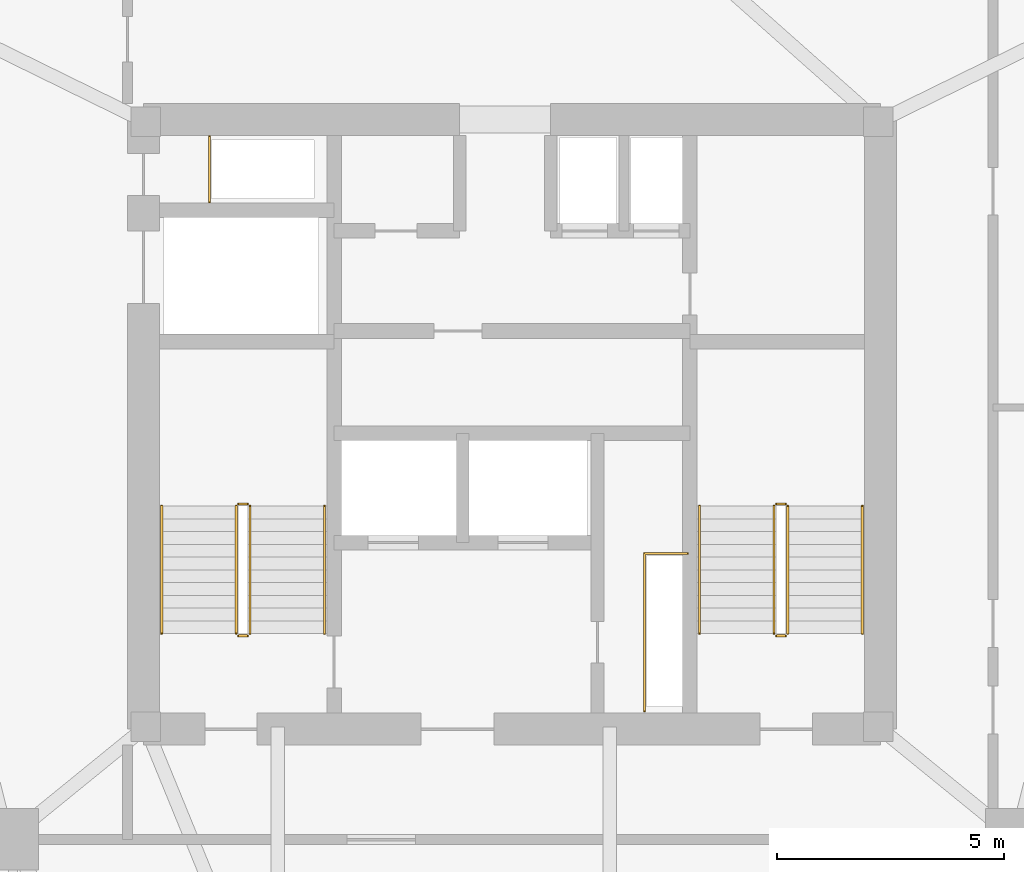
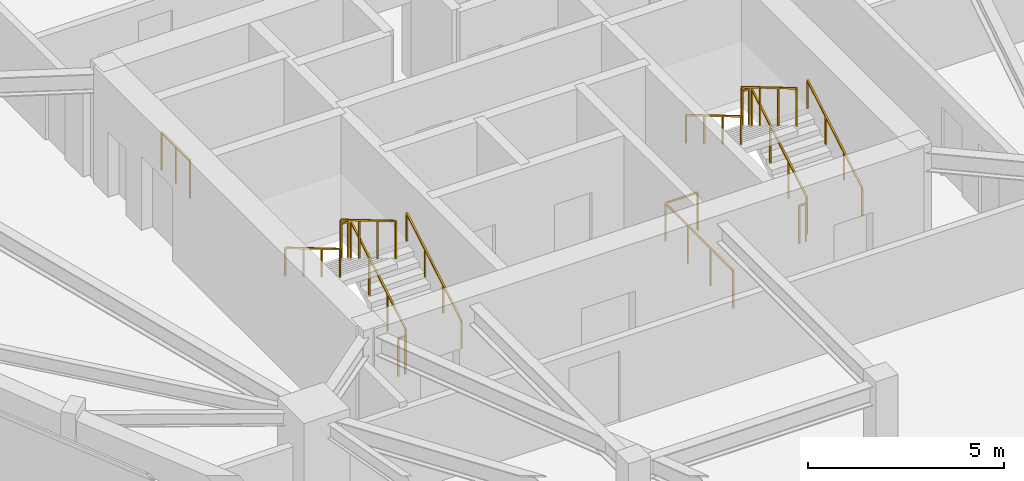
# One storey, part 10 of 10: 14 railings.
"""IFC4 building model written with IfcOpenShell, lengths in metres."""

from ifc_helpers import new_model, si_unit, direction, frame, origin, origin_2d, place, context, subcontext, project, spatial, rectangle, extrude, material, type_object, element, save


model = new_model("IFC4")

# Units and contexts
model_context = context("Model", 3, precision=1e-05, world=origin(), true_north=direction((0.0, 1.0)))
body_context = subcontext(model_context, "Body", "Model", "MODEL_VIEW")
ifc_project = project(units=[si_unit("LENGTHUNIT", "METRE"), si_unit("AREAUNIT", "SQUARE_METRE"), si_unit("VOLUMEUNIT", "CUBIC_METRE"), si_unit("PLANEANGLEUNIT", "RADIAN"), si_unit("MASSUNIT", "GRAM", prefix="KILO")], contexts=[model_context])

# Site, building, storey
site_placement = place(None, origin())
site = spatial("IfcSite", under=ifc_project, at=site_placement, CompositionType="ELEMENT")
building_placement = place(site_placement, origin())
building = spatial("IfcBuilding", under=site, at=building_placement, Name="Talyreon Biosciences Tower", CompositionType="ELEMENT")
storey_placement = place(building_placement, frame((0.0, 0.0, 204.949951171875)))
storey = spatial("IfcBuildingStorey", under=building, at=storey_placement, Name="L54", CompositionType="ELEMENT", Elevation=204.949951171875)

# Railings
ifc_material_1 = material(Name="Brushed stainless-steel tubular handrail", Category="steel")
railing_type_1 = type_object("IfcRailingType", Name="StairWallHandrail_900", PredefinedType="HANDRAIL", material=ifc_material_1)
railing_1_placement = place(storey_placement, frame((61.8798828125, 63.39990234375, 0.166015625)))
element("IfcRailing", 1, at=railing_1_placement, inside=storey, type_object=railing_type_1, Name="L54 ST-1 stair handrail 1", PredefinedType="HANDRAIL", context=body_context, shape_type="SweptSolid", body=[
    extrude(rectangle(XDim=0.048095703125, YDim=0.048095703125, at=origin_2d()), frame((0.0, 0.0, 0.8759765625), z_axis=(0.0, 0.860339051648, 0.50972219513), x_axis=(-1.0, 0.0, 0.0)), (0.0, 0.0, 1.0), 3.254638671875),
    extrude(rectangle(XDim=0.0419921875, YDim=0.0419921875, at=origin_2d()), origin(), (0.0, 0.0, 1.0), 0.851806640625),
    extrude(rectangle(XDim=0.0419921875, YDim=0.0419921875, at=origin_2d()), frame((0.0, 0.933349609375, 0.552978515625)), (0.0, 0.0, 1.0), 0.851806640625),
    extrude(rectangle(XDim=0.0419921875, YDim=0.0419921875, at=origin_2d()), frame((0.0, 1.86669921875, 1.10595703125)), (0.0, 0.0, 1.0), 0.851806640625),
    extrude(rectangle(XDim=0.0419921875, YDim=0.0419921875, at=origin_2d()), frame((0.0, 2.800048828125, 1.658935546875)), (0.0, 0.0, 1.0), 0.851806640625),
])
railing_2_placement = place(storey_placement, frame((58.300048828125, 66.199951171875, 1.990966796875)))
element("IfcRailing", 2, at=railing_2_placement, inside=storey, type_object=railing_type_1, Name="L54 ST-1 stair handrail 2", PredefinedType="HANDRAIL", context=body_context, shape_type="SweptSolid", body=[
    extrude(rectangle(XDim=0.048095703125, YDim=0.048095703125, at=origin_2d()), frame((0.0, 0.0, 0.8759765625), z_axis=(0.0, -0.860306154799, 0.50977771628), x_axis=(1.0, 0.0, 0.0)), (0.0, 0.0, 1.0), 3.254638671875),
    extrude(rectangle(XDim=0.0419921875, YDim=0.0419921875, at=origin_2d()), origin(), (0.0, 0.0, 1.0), 0.851806640625),
    extrude(rectangle(XDim=0.0419921875, YDim=0.0419921875, at=origin_2d()), frame((0.0, -0.933349609375, 0.552978515625)), (0.0, 0.0, 1.0), 0.851806640625),
    extrude(rectangle(XDim=0.0419921875, YDim=0.0419921875, at=origin_2d()), frame((0.0, -1.86669921875, 1.106201171875)), (0.0, 0.0, 1.0), 0.851806640625),
    extrude(rectangle(XDim=0.0419921875, YDim=0.0419921875, at=origin_2d()), frame((0.0, -2.800048828125, 1.6591796875)), (0.0, 0.0, 1.0), 0.851806640625),
])
railing_3_placement = place(storey_placement, frame((73.699951171875, 63.39990234375, 0.166015625)))
element("IfcRailing", 3, at=railing_3_placement, inside=storey, type_object=railing_type_1, Name="L54 ST-2 stair handrail 1", PredefinedType="HANDRAIL", context=body_context, shape_type="SweptSolid", body=[
    extrude(rectangle(XDim=0.048095703125, YDim=0.048095703125, at=origin_2d()), frame((0.0, 0.0, 0.8759765625), z_axis=(0.0, 0.860339051648, 0.50972219513), x_axis=(-1.0, 0.0, 0.0)), (0.0, 0.0, 1.0), 3.254638671875),
    extrude(rectangle(XDim=0.0419921875, YDim=0.0419921875, at=origin_2d()), origin(), (0.0, 0.0, 1.0), 0.851806640625),
    extrude(rectangle(XDim=0.0419921875, YDim=0.0419921875, at=origin_2d()), frame((0.0, 0.933349609375, 0.552978515625)), (0.0, 0.0, 1.0), 0.851806640625),
    extrude(rectangle(XDim=0.0419921875, YDim=0.0419921875, at=origin_2d()), frame((0.0, 1.86669921875, 1.10595703125)), (0.0, 0.0, 1.0), 0.851806640625),
    extrude(rectangle(XDim=0.0419921875, YDim=0.0419921875, at=origin_2d()), frame((0.0, 2.800048828125, 1.658935546875)), (0.0, 0.0, 1.0), 0.851806640625),
])
railing_4_placement = place(storey_placement, frame((70.1201171875, 66.199951171875, 1.990966796875)))
element("IfcRailing", 4, at=railing_4_placement, inside=storey, type_object=railing_type_1, Name="L54 ST-2 stair handrail 2", PredefinedType="HANDRAIL", context=body_context, shape_type="SweptSolid", body=[
    extrude(rectangle(XDim=0.048095703125, YDim=0.048095703125, at=origin_2d()), frame((0.0, 0.0, 0.8759765625), z_axis=(0.0, -0.860306154799, 0.50977771628), x_axis=(1.0, 0.0, 0.0)), (0.0, 0.0, 1.0), 3.254638671875),
    extrude(rectangle(XDim=0.0419921875, YDim=0.0419921875, at=origin_2d()), origin(), (0.0, 0.0, 1.0), 0.851806640625),
    extrude(rectangle(XDim=0.0419921875, YDim=0.0419921875, at=origin_2d()), frame((0.0, -0.933349609375, 0.552978515625)), (0.0, 0.0, 1.0), 0.851806640625),
    extrude(rectangle(XDim=0.0419921875, YDim=0.0419921875, at=origin_2d()), frame((0.0, -1.86669921875, 1.106201171875)), (0.0, 0.0, 1.0), 0.851806640625),
    extrude(rectangle(XDim=0.0419921875, YDim=0.0419921875, at=origin_2d()), frame((0.0, -2.800048828125, 1.6591796875)), (0.0, 0.0, 1.0), 0.851806640625),
])
ifc_material_2 = material(Name="Painted galvanised steel post-and-rail balustrade", Category="steel")
railing_type_2 = type_object("IfcRailingType", Name="TerraceStairGuard_1200", PredefinedType="GUARDRAIL", material=ifc_material_2)
railing_5_placement = place(storey_placement, frame((60.239990234375, 63.39990234375, 0.166015625)))
element("IfcRailing", 5, at=railing_5_placement, inside=storey, type_object=railing_type_2, Name="L54 ST-1 stair guard 1", PredefinedType="GUARDRAIL", context=body_context, shape_type="SweptSolid", body=[
    extrude(rectangle(XDim=0.048095703125, YDim=0.048095703125, at=origin_2d()), frame((0.0, 0.0, 1.17578125), z_axis=(0.0, 0.860339051648, 0.50972219513), x_axis=(-1.0, 0.0, 0.0)), (0.0, 0.0, 1.0), 3.254638671875),
    extrude(rectangle(XDim=0.0419921875, YDim=0.0419921875, at=origin_2d()), origin(), (0.0, 0.0, 1.0), 1.15185546875),
    extrude(rectangle(XDim=0.0419921875, YDim=0.0419921875, at=origin_2d()), frame((0.0, 0.933349609375, 0.552978515625)), (0.0, 0.0, 1.0), 1.15185546875),
    extrude(rectangle(XDim=0.0419921875, YDim=0.0419921875, at=origin_2d()), frame((0.0, 1.86669921875, 1.10595703125)), (0.0, 0.0, 1.0), 1.15185546875),
    extrude(rectangle(XDim=0.0419921875, YDim=0.0419921875, at=origin_2d()), frame((0.0, 2.800048828125, 1.658935546875)), (0.0, 0.0, 1.0), 1.15185546875),
])
railing_6_placement = place(storey_placement, frame((60.18994140625, 66.25, 1.824951171875)))
element("IfcRailing", 6, at=railing_6_placement, inside=storey, type_object=railing_type_2, Name="L54 ST-1 stair guard 2", PredefinedType="GUARDRAIL", context=body_context, shape_type="SweptSolid", body=[
    extrude(rectangle(XDim=0.048095703125, YDim=0.048095703125, at=origin_2d()), frame((0.0, 0.0, 1.17578125), z_axis=(-1.0, 0.0, 0.0), x_axis=(0.0, -1.0, 0.0)), (0.0, 0.0, 1.0), 0.199951171875),
    extrude(rectangle(XDim=0.0419921875, YDim=0.0419921875, at=origin_2d()), origin(), (0.0, 0.0, 1.0), 1.15185546875),
    extrude(rectangle(XDim=0.0419921875, YDim=0.0419921875, at=origin_2d()), frame((-0.199951171875, 0.0, 0.0)), (0.0, 0.0, 1.0), 1.15185546875),
])
railing_7_placement = place(storey_placement, frame((59.93994140625, 66.199951171875, 1.990966796875)))
element("IfcRailing", 7, at=railing_7_placement, inside=storey, type_object=railing_type_2, Name="L54 ST-1 stair guard 3", PredefinedType="GUARDRAIL", context=body_context, shape_type="SweptSolid", body=[
    extrude(rectangle(XDim=0.048095703125, YDim=0.048095703125, at=origin_2d()), frame((0.0, 0.0, 1.17578125), z_axis=(0.0, -0.860306154799, 0.50977771628), x_axis=(1.0, 0.0, 0.0)), (0.0, 0.0, 1.0), 3.254638671875),
    extrude(rectangle(XDim=0.0419921875, YDim=0.0419921875, at=origin_2d()), origin(), (0.0, 0.0, 1.0), 1.15185546875),
    extrude(rectangle(XDim=0.0419921875, YDim=0.0419921875, at=origin_2d()), frame((0.0, -0.933349609375, 0.552978515625)), (0.0, 0.0, 1.0), 1.15185546875),
    extrude(rectangle(XDim=0.0419921875, YDim=0.0419921875, at=origin_2d()), frame((0.0, -1.86669921875, 1.106201171875)), (0.0, 0.0, 1.0), 1.15185546875),
    extrude(rectangle(XDim=0.0419921875, YDim=0.0419921875, at=origin_2d()), frame((0.0, -2.800048828125, 1.6591796875)), (0.0, 0.0, 1.0), 1.15185546875),
])
railing_8_placement = place(storey_placement, frame((60.18994140625, 63.35009765625, 0.0)))
element("IfcRailing", 8, at=railing_8_placement, inside=storey, type_object=railing_type_2, Name="L54 ST-1 stair guard 4", PredefinedType="GUARDRAIL", context=body_context, shape_type="SweptSolid", body=[
    extrude(rectangle(XDim=0.048095703125, YDim=0.048095703125, at=origin_2d()), frame((0.0, 0.0, 1.17578125), z_axis=(-1.0, 0.0, 0.0), x_axis=(0.0, -1.0, 0.0)), (0.0, 0.0, 1.0), 0.199951171875),
    extrude(rectangle(XDim=0.0419921875, YDim=0.0419921875, at=origin_2d()), origin(), (0.0, 0.0, 1.0), 1.15185546875),
    extrude(rectangle(XDim=0.0419921875, YDim=0.0419921875, at=origin_2d()), frame((-0.199951171875, 0.0, 0.0)), (0.0, 0.0, 1.0), 1.15185546875),
])
railing_9_placement = place(storey_placement, frame((72.06005859375, 63.39990234375, 0.166015625)))
element("IfcRailing", 9, at=railing_9_placement, inside=storey, type_object=railing_type_2, Name="L54 ST-2 stair guard 1", PredefinedType="GUARDRAIL", context=body_context, shape_type="SweptSolid", body=[
    extrude(rectangle(XDim=0.048095703125, YDim=0.048095703125, at=origin_2d()), frame((0.0, 0.0, 1.17578125), z_axis=(0.0, 0.860339051648, 0.50972219513), x_axis=(-1.0, 0.0, 0.0)), (0.0, 0.0, 1.0), 3.254638671875),
    extrude(rectangle(XDim=0.0419921875, YDim=0.0419921875, at=origin_2d()), origin(), (0.0, 0.0, 1.0), 1.15185546875),
    extrude(rectangle(XDim=0.0419921875, YDim=0.0419921875, at=origin_2d()), frame((0.0, 0.933349609375, 0.552978515625)), (0.0, 0.0, 1.0), 1.15185546875),
    extrude(rectangle(XDim=0.0419921875, YDim=0.0419921875, at=origin_2d()), frame((0.0, 1.86669921875, 1.10595703125)), (0.0, 0.0, 1.0), 1.15185546875),
    extrude(rectangle(XDim=0.0419921875, YDim=0.0419921875, at=origin_2d()), frame((0.0, 2.800048828125, 1.658935546875)), (0.0, 0.0, 1.0), 1.15185546875),
])
railing_10_placement = place(storey_placement, frame((72.010009765625, 66.25, 1.824951171875)))
element("IfcRailing", 10, at=railing_10_placement, inside=storey, type_object=railing_type_2, Name="L54 ST-2 stair guard 2", PredefinedType="GUARDRAIL", context=body_context, shape_type="SweptSolid", body=[
    extrude(rectangle(XDim=0.048095703125, YDim=0.048095703125, at=origin_2d()), frame((0.0, 0.0, 1.17578125), z_axis=(-1.0, 0.0, 0.0), x_axis=(0.0, -1.0, 0.0)), (0.0, 0.0, 1.0), 0.199951171875),
    extrude(rectangle(XDim=0.0419921875, YDim=0.0419921875, at=origin_2d()), origin(), (0.0, 0.0, 1.0), 1.15185546875),
    extrude(rectangle(XDim=0.0419921875, YDim=0.0419921875, at=origin_2d()), frame((-0.199951171875, 0.0, 0.0)), (0.0, 0.0, 1.0), 1.15185546875),
])
railing_11_placement = place(storey_placement, frame((71.760009765625, 66.199951171875, 1.990966796875)))
element("IfcRailing", 11, at=railing_11_placement, inside=storey, type_object=railing_type_2, Name="L54 ST-2 stair guard 3", PredefinedType="GUARDRAIL", context=body_context, shape_type="SweptSolid", body=[
    extrude(rectangle(XDim=0.048095703125, YDim=0.048095703125, at=origin_2d()), frame((0.0, 0.0, 1.17578125), z_axis=(0.0, -0.860306154799, 0.50977771628), x_axis=(1.0, 0.0, 0.0)), (0.0, 0.0, 1.0), 3.254638671875),
    extrude(rectangle(XDim=0.0419921875, YDim=0.0419921875, at=origin_2d()), origin(), (0.0, 0.0, 1.0), 1.15185546875),
    extrude(rectangle(XDim=0.0419921875, YDim=0.0419921875, at=origin_2d()), frame((0.0, -0.933349609375, 0.552978515625)), (0.0, 0.0, 1.0), 1.15185546875),
    extrude(rectangle(XDim=0.0419921875, YDim=0.0419921875, at=origin_2d()), frame((0.0, -1.86669921875, 1.106201171875)), (0.0, 0.0, 1.0), 1.15185546875),
    extrude(rectangle(XDim=0.0419921875, YDim=0.0419921875, at=origin_2d()), frame((0.0, -2.800048828125, 1.6591796875)), (0.0, 0.0, 1.0), 1.15185546875),
])
railing_12_placement = place(storey_placement, frame((72.010009765625, 63.35009765625, 0.0)))
element("IfcRailing", 12, at=railing_12_placement, inside=storey, type_object=railing_type_2, Name="L54 ST-2 stair guard 4", PredefinedType="GUARDRAIL", context=body_context, shape_type="SweptSolid", body=[
    extrude(rectangle(XDim=0.048095703125, YDim=0.048095703125, at=origin_2d()), frame((0.0, 0.0, 1.17578125), z_axis=(-1.0, 0.0, 0.0), x_axis=(0.0, -1.0, 0.0)), (0.0, 0.0, 1.0), 0.199951171875),
    extrude(rectangle(XDim=0.0419921875, YDim=0.0419921875, at=origin_2d()), origin(), (0.0, 0.0, 1.0), 1.15185546875),
    extrude(rectangle(XDim=0.0419921875, YDim=0.0419921875, at=origin_2d()), frame((-0.199951171875, 0.0, 0.0)), (0.0, 0.0, 1.0), 1.15185546875),
])
railing_13_placement = place(storey_placement, frame((59.35009765625, 72.8798828125, 0.0)))
element("IfcRailing", 13, at=railing_13_placement, inside=storey, type_object=railing_type_2, Name="L54 Exhaust Riser Maintenance Guardrail", PredefinedType="GUARDRAIL", context=body_context, shape_type="SweptSolid", body=[
    extrude(rectangle(XDim=0.048095703125, YDim=0.048095703125, at=origin_2d()), frame((0.0, 0.0, 1.17578125), z_axis=(0.0, 1.0, 0.0), x_axis=(-1.0, 0.0, 0.0)), (0.0, 0.0, 1.0), 1.4501953125),
    extrude(rectangle(XDim=0.0419921875, YDim=0.0419921875, at=origin_2d()), origin(), (0.0, 0.0, 1.0), 1.15185546875),
    extrude(rectangle(XDim=0.0419921875, YDim=0.0419921875, at=origin_2d()), frame((0.0, 0.72509765625, 0.0)), (0.0, 0.0, 1.0), 1.15185546875),
    extrude(rectangle(XDim=0.0419921875, YDim=0.0419921875, at=origin_2d()), frame((0.0, 1.4501953125, 0.0)), (0.0, 0.0, 1.0), 1.15185546875),
])
railing_14_placement = place(storey_placement, frame((68.909912109375, 61.699951171875, 0.0)))
element("IfcRailing", 14, at=railing_14_placement, inside=storey, type_object=railing_type_2, Name="L54 Electrical Riser Maintenance Guardrail", PredefinedType="GUARDRAIL", context=body_context, shape_type="SweptSolid", body=[
    extrude(rectangle(XDim=0.048095703125, YDim=0.048095703125, at=origin_2d()), frame((0.0, 0.0, 1.17578125), z_axis=(0.0, 1.0, 0.0), x_axis=(-1.0, 0.0, 0.0)), (0.0, 0.0, 1.0), 3.4599609375),
    extrude(rectangle(XDim=0.048095703125, YDim=0.048095703125, at=origin_2d()), frame((0.0, 3.4599609375, 1.17578125), z_axis=(1.0, 0.0, 0.0), x_axis=(0.0, 1.0, 0.0)), (0.0, 0.0, 1.0), 0.9501953125),
    extrude(rectangle(XDim=0.0419921875, YDim=0.0419921875, at=origin_2d()), origin(), (0.0, 0.0, 1.0), 1.15185546875),
    extrude(rectangle(XDim=0.0419921875, YDim=0.0419921875, at=origin_2d()), frame((0.0, 1.1533203125, 0.0)), (0.0, 0.0, 1.0), 1.15185546875),
    extrude(rectangle(XDim=0.0419921875, YDim=0.0419921875, at=origin_2d()), frame((0.0, 2.306640625, 0.0)), (0.0, 0.0, 1.0), 1.15185546875),
    extrude(rectangle(XDim=0.0419921875, YDim=0.0419921875, at=origin_2d()), frame((0.0, 3.4599609375, 0.0)), (0.0, 0.0, 1.0), 1.15185546875),
    extrude(rectangle(XDim=0.0419921875, YDim=0.0419921875, at=origin_2d()), frame((0.9501953125, 3.4599609375, 0.0)), (0.0, 0.0, 1.0), 1.15185546875),
])

save(model, "model.ifc")
